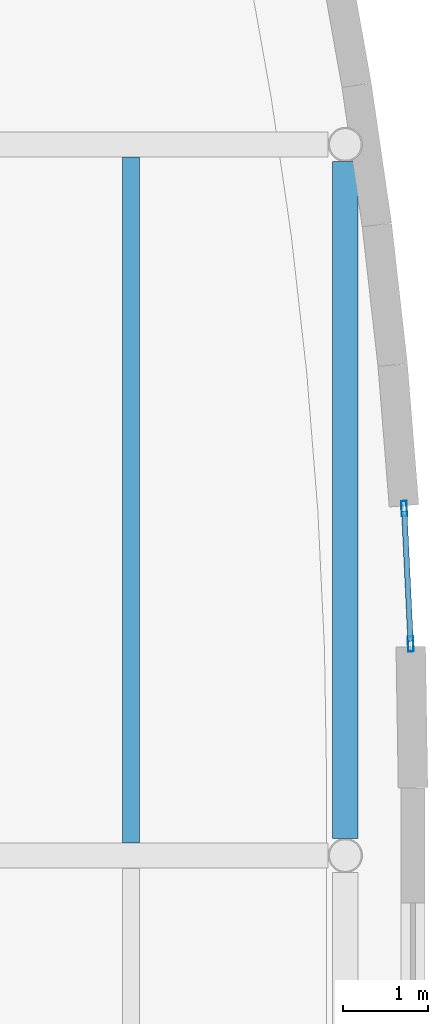
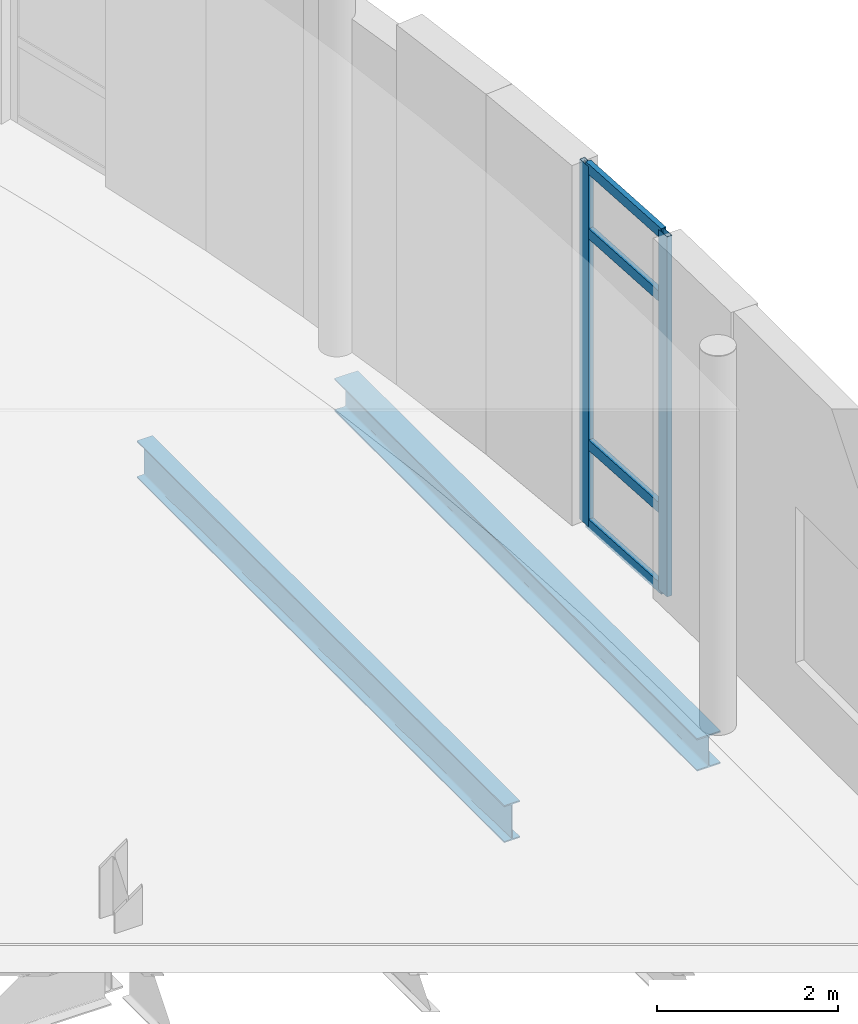
# One storey, part 48 of 104: 6 members, 2 beams, 1 element without a shape of its own.
"""IFC4 building model written with IfcOpenShell, lengths in metres."""

import ifcopenshell
import ifcopenshell.guid

model = None  # the IFC model being written
_history = None  # IfcOwnerHistory: only IFC2X3 demands one
_inside = {}  # id of a spatial element -> (the spatial element, [elements in it])
_under = {}  # id of a project, library or spatial element -> (it, [spatial elements below it])
_declared = {}  # id of a project -> (the project, [libraries it declares])
_typed = {}  # id of a type object -> (the type object, [elements of that type])
_made_of = {}  # id of a material, layer set ... -> (it, [elements and type objects made of it])


def new_model(schema):
    """Start an empty IFC model of exactly this schema.

    Asked for "IFC4X3", IfcOpenShell would pick the latest addendum, in which some entities
    have other attributes; the version numbers below select the first issue.
    IFC2X3 requires an IfcOwnerHistory on every rooted entity: one is made here for all.
    """
    global model, _history
    if schema == "IFC4X3":
        model = ifcopenshell.file(schema_version=(4, 3, 0, 0))
    else:
        model = ifcopenshell.file(schema=schema)
    _inside.clear()
    _under.clear()
    _declared.clear()
    _typed.clear()
    _made_of.clear()
    _history = None
    if model.schema == "IFC2X3":
        org = make("IfcOrganization", Name="unknown")
        user = make(
            "IfcPersonAndOrganization",
            ThePerson=make("IfcPerson", FamilyName="unknown"),
            TheOrganization=org,
        )
        app = make(
            "IfcApplication",
            ApplicationDeveloper=org,
            Version="unknown",
            ApplicationFullName="unknown",
            ApplicationIdentifier="unknown",
        )
        _history = make(
            "IfcOwnerHistory",
            OwningUser=user,
            OwningApplication=app,
            ChangeAction="ADDED",
            CreationDate=0,
        )
    return model


def make(cls, **values):
    """One entity of the class cls with the attributes given. An attribute that is None is left unset."""
    return model.create_entity(
        cls, **{name: value for name, value in values.items() if value is not None}
    )


def rooted(cls, **values):
    """An entity with a GlobalId (a new one), such as an element, a storey or a relation."""
    return make(cls, GlobalId=ifcopenshell.guid.new(), OwnerHistory=_history, **values)


def si_unit(unit_type, name, prefix=None):
    """IfcSIUnit, for example si_unit("LENGTHUNIT", "METRE", prefix="MILLI")."""
    return make("IfcSIUnit", UnitType=unit_type, Prefix=prefix, Name=name)


def assignment(units):
    """IfcUnitAssignment: the units of a project."""
    return None if units is None else make("IfcUnitAssignment", Units=units)


def point(xyz):
    """IfcCartesianPoint."""
    return None if xyz is None else make("IfcCartesianPoint", Coordinates=xyz)


def direction(xyz):
    """IfcDirection."""
    return None if xyz is None else make("IfcDirection", DirectionRatios=xyz)


def frame(location, z_axis=None, x_axis=None):
    """IfcAxis2Placement3D, a coordinate frame: its origin and axes. An axis left out is left unset."""
    return make(
        "IfcAxis2Placement3D",
        Location=point(location),
        Axis=direction(z_axis),
        RefDirection=direction(x_axis),
    )


def frame_2d(location, x_axis=None):
    """IfcAxis2Placement2D, a coordinate frame in the plane: its origin and x axis."""
    return make(
        "IfcAxis2Placement2D", Location=point(location), RefDirection=direction(x_axis)
    )


def origin():
    """The frame at (0, 0, 0) with its axes left unset."""
    return frame((0.0, 0.0, 0.0))


def origin_2d():
    """The frame at (0, 0) in the plane with its x axis left unset."""
    return frame_2d((0.0, 0.0))


def place(relative_to, where):
    """IfcLocalPlacement: puts the frame where relative to a parent placement (None: the world)."""
    return make(
        "IfcLocalPlacement", PlacementRelTo=relative_to, RelativePlacement=where
    )


def context(
    kind, dimensions, precision=None, world=None, true_north=None, identifier=None
):
    """IfcGeometricRepresentationContext, for example the 3D "Model" context."""
    return make(
        "IfcGeometricRepresentationContext",
        ContextIdentifier=identifier,
        ContextType=kind,
        CoordinateSpaceDimension=dimensions,
        Precision=precision,
        WorldCoordinateSystem=world,
        TrueNorth=true_north,
    )


def subcontext(parent, identifier, kind, view, scale=None):
    """IfcGeometricRepresentationSubContext, for example "Body" below "Model"."""
    return make(
        "IfcGeometricRepresentationSubContext",
        ContextIdentifier=identifier,
        ContextType=kind,
        ParentContext=parent,
        TargetScale=scale,
        TargetView=view,
    )


def project(units=None, contexts=None):
    """IfcProject with its units and contexts."""
    return rooted(
        "IfcProject",
        Name="project",
        RepresentationContexts=contexts,
        UnitsInContext=assignment(units),
    )


def spatial(cls, under=None, at=None, **own):
    """A site, building, storey or space (cls), placed at a placement, below another one or the project."""
    s = rooted(cls, ObjectPlacement=at, **own)
    if under is not None:
        _under.setdefault(under.id(), (under, []))[1].append(s)
    return s


def profile(cls, at=None, kind="AREA", **sizes):
    """A parametric profile (cls). Its sizes go by their IFC names, for example OverallWidth=200.0."""
    return make(cls, ProfileType=kind, Position=at, **sizes)


def hollow_rectangle(**sizes):
    """IfcRectangleHollowProfileDef."""
    return profile("IfcRectangleHollowProfileDef", **sizes)


def i_section(**sizes):
    """IfcIShapeProfileDef."""
    return profile("IfcIShapeProfileDef", **sizes)


def extrude(swept, where, along, depth):
    """IfcExtrudedAreaSolid: the profile swept, set in the frame where, extruded along a direction by depth."""
    return make(
        "IfcExtrudedAreaSolid",
        SweptArea=swept,
        Position=where,
        ExtrudedDirection=direction(along),
        Depth=depth,
    )


def shape(context_of_items, identifier, shape_type, items):
    """IfcShapeRepresentation: the items that make up one representation, for example the "Body"."""
    return make(
        "IfcShapeRepresentation",
        ContextOfItems=context_of_items,
        RepresentationIdentifier=identifier,
        RepresentationType=shape_type,
        Items=items,
    )


def material(Name=None, Category=None):
    """IfcMaterial."""
    return make("IfcMaterial", Name=Name, Category=Category)


def layer(
    of_material, thickness, ventilated=None, Name=None, Category=None, Priority=None
):
    """IfcMaterialLayer: one layer of a wall or slab, of a material (None: an air gap)."""
    return make(
        "IfcMaterialLayer",
        Material=of_material,
        LayerThickness=thickness,
        IsVentilated=ventilated,
        Name=Name,
        Category=Category,
        Priority=Priority,
    )


def layer_set(layers, Name=None):
    """IfcMaterialLayerSet."""
    return make("IfcMaterialLayerSet", MaterialLayers=layers, LayerSetName=Name)


def material_profile(
    of_material, cross_section, Name=None, Category=None, Priority=None
):
    """IfcMaterialProfile: a cross section and its material."""
    return make(
        "IfcMaterialProfile",
        Name=Name,
        Material=of_material,
        Profile=cross_section,
        Priority=Priority,
        Category=Category,
    )


def profile_set(profiles, Name=None, composite=None):
    """IfcMaterialProfileSet."""
    return make(
        "IfcMaterialProfileSet",
        Name=Name,
        MaterialProfiles=profiles,
        CompositeProfile=composite,
    )


def made_of(thing, what):
    """Note that an element or type object is made of a material, layer set ...; save() writes the relation."""
    if what is not None:
        _made_of.setdefault(what.id(), (what, []))[1].append(thing)
    return thing


def type_object(cls, material=None, **own):
    """A type object (cls), such as IfcWallType, which elements share."""
    return made_of(rooted(cls, **own), material)


def element(
    cls,
    number,
    at=None,
    inside=None,
    cuts=None,
    type_object=None,
    material=None,
    context=None,
    identifier="Body",
    shape_type=None,
    held_by="IfcProductDefinitionShape",
    body=None,
    shapes=None,
    **own,
):
    """One element of the class cls, such as IfcWall. Its Tag is "e" and its number.

    at: its placement. inside: the storey or other place that contains it. cuts: it is an
    opening in that element (IfcRelVoidsElement). A single representation is given by context,
    identifier, shape_type and body (its items); several are given by shapes. held_by: the class
    of the entity that holds the representations. save() writes the other relations.
    """
    e = rooted(cls, Tag="e%d" % number, ObjectPlacement=at, **own)
    if body is not None:
        shapes = [shape(context, identifier, shape_type, body)]
    if shapes is not None:
        e.Representation = make(held_by, Representations=shapes)
    if inside is not None:
        _inside.setdefault(inside.id(), (inside, []))[1].append(e)
    if cuts is not None:
        rooted(
            "IfcRelVoidsElement", RelatingBuildingElement=cuts, RelatedOpeningElement=e
        )
    if type_object is not None:
        _typed.setdefault(type_object.id(), (type_object, []))[1].append(e)
    return made_of(e, material)


def aggregate(whole, parts):
    """IfcRelAggregates: a whole, such as a stair, and the parts it consists of."""
    return rooted("IfcRelAggregates", RelatingObject=whole, RelatedObjects=parts)


def save(model, path):
    """Write the relations noted so far, then the file.

    IfcRelAggregates (storeys below a building ...), IfcRelContainedInSpatialStructure (elements
    in a storey), IfcRelDefinesByType, IfcRelAssociatesMaterial and IfcRelDeclares: one each for
    every whole, place, type object, material and project.
    """
    for whole, parts in _under.values():
        aggregate(whole, parts)
    for where, things in _inside.values():
        rooted(
            "IfcRelContainedInSpatialStructure",
            RelatedElements=things,
            RelatingStructure=where,
        )
    for kind, things in _typed.values():
        rooted("IfcRelDefinesByType", RelatedObjects=things, RelatingType=kind)
    for what, things in _made_of.values():
        rooted("IfcRelAssociatesMaterial", RelatedObjects=things, RelatingMaterial=what)
    for by, libraries in _declared.values():
        rooted("IfcRelDeclares", RelatingContext=by, RelatedDefinitions=libraries)
    model.write(path)


model = new_model("IFC4")

# Units and contexts
model_context = context("Model", 3, precision=1e-05, world=origin(), true_north=direction((0.0, 1.0)))
body_context = subcontext(model_context, "Body", "Model", "MODEL_VIEW")
ifc_project = project(units=[si_unit("LENGTHUNIT", "METRE"), si_unit("AREAUNIT", "SQUARE_METRE"), si_unit("VOLUMEUNIT", "CUBIC_METRE"), si_unit("PLANEANGLEUNIT", "RADIAN"), si_unit("MASSUNIT", "GRAM", prefix="KILO"), si_unit("THERMODYNAMICTEMPERATUREUNIT", "KELVIN")], contexts=[model_context])

# Site, building, storey
site_placement = place(None, origin())
site = spatial("IfcSite", under=ifc_project, at=site_placement, CompositionType="ELEMENT")
building_placement = place(site_placement, origin())
building = spatial("IfcBuilding", under=site, at=building_placement, Name="Lustrewick Department Store", CompositionType="ELEMENT")
storey_placement = place(building_placement, frame((0.0, 0.0, 11.39990234375)))
storey = spatial("IfcBuildingStorey", under=building, at=storey_placement, Name="L03", CompositionType="ELEMENT", Elevation=11.39990234375)

# Beam
ifc_material_1 = material(Name="Structural steel Q355B", Category="steel")
ifc_material_profile_1 = material_profile(ifc_material_1, i_section(OverallWidth=0.199951171875, OverallDepth=0.5, WebThickness=0.010009765625, FlangeThickness=0.01611328125, FilletRadius=0.01611328125, at=origin_2d()), Name="HN 500x200x10x16")
ifc_profile_set_1 = profile_set([ifc_material_profile_1], Name="Structural steel Q355B")
beam_type_1 = type_object("IfcBeamType", Name="B01", PredefinedType="JOIST", material=ifc_profile_set_1)
beam_1_placement = place(storey_placement, frame((164.666748046875, 58.949951171875, -0.5048828125), z_axis=(0.0, 1.0, 0.0), x_axis=(-1.0, 0.0, 0.0)))
element("IfcBeam", 1, at=beam_1_placement, inside=storey, type_object=beam_type_1, Name="L03 V4 Secondary Joist B01", PredefinedType="JOIST", context=body_context, shape_type="SweptSolid", body=[
    extrude(i_section(OverallWidth=0.199951171875, OverallDepth=0.5, WebThickness=0.010009765625, FlangeThickness=0.01611328125, FilletRadius=0.01611328125, at=origin_2d()), origin(), (0.0, 0.0, 1.0), 8.10009765625),
])

# Curtain wall, members
ifc_material_2 = material(Name="Thermally broken aluminium 6063-T5", Category="aluminium")
ifc_layer = layer(ifc_material_2, 0.179931640625, Name="Thermally broken aluminium 6063-T5")
ifc_layer_set = layer_set([ifc_layer], Name="Thermally broken aluminium 6063-T5")
curtain_wall_type = type_object("IfcCurtainWallType", Name="CW11", PredefinedType="NOTDEFINED", material=ifc_layer_set)
curtain_wall_placement = place(storey_placement, origin())
curtain_wall = element("IfcCurtainWall", 2, at=curtain_wall_placement, inside=storey, type_object=curtain_wall_type, Name="L03 V4 Curtain Wall CW11", PredefinedType="NOTDEFINED")
ifc_material_profile_2 = material_profile(ifc_material_2, hollow_rectangle(XDim=0.06494140625, YDim=0.179931640625, WallThickness=0.00390625, at=origin_2d()), Name="ALU-M 65x180x4")
ifc_profile_set_2 = profile_set([ifc_material_profile_2], Name="Thermally broken aluminium 6063-T5")
member_type_1 = type_object("IfcMemberType", Name="CW11-M1", PredefinedType="MULLION", material=ifc_profile_set_2)
member_1_placement = place(storey_placement, frame((167.9716796875, 61.299072265625, 0.0), z_axis=(0.0, 0.0, 1.0), x_axis=(-0.998844809751, -0.048052534093, 0.0)))
member_1 = element("IfcMember", 3, at=member_1_placement, type_object=member_type_1, Name="CW11 mullion 1", PredefinedType="MULLION", context=body_context, shape_type="SweptSolid", body=[
    extrude(hollow_rectangle(XDim=0.06494140625, YDim=0.179931640625, WallThickness=0.00390625, at=origin_2d()), origin(), (0.0, 0.0, 1.0), 4.84521484375),
])
member_2_placement = place(storey_placement, frame((167.894775390625, 62.899169921875, 0.0), z_axis=(0.0, 0.0, 1.0), x_axis=(-0.998844809751, -0.048052534093, 0.0)))
member_2 = element("IfcMember", 4, at=member_2_placement, type_object=member_type_1, Name="CW11 mullion 2", PredefinedType="MULLION", context=body_context, shape_type="SweptSolid", body=[
    extrude(hollow_rectangle(XDim=0.06494140625, YDim=0.179931640625, WallThickness=0.00390625, at=origin_2d()), origin(), (0.0, 0.0, 1.0), 4.84521484375),
])
ifc_material_profile_3 = material_profile(ifc_material_2, hollow_rectangle(XDim=0.06494140625, YDim=0.139892578125, WallThickness=0.00341796875, at=origin_2d()), Name="ALU-T 65x140x3.5")
ifc_profile_set_3 = profile_set([ifc_material_profile_3], Name="Thermally broken aluminium 6063-T5")
member_type_2 = type_object("IfcMemberType", Name="CW11-T1", PredefinedType="USERDEFINED", material=ifc_profile_set_3)
member_3_placement = place(storey_placement, frame((167.97021484375, 61.33154296875, 0.03271484375), z_axis=(-0.048131175267, 0.99884102337, 0.0), x_axis=(-0.99884102337, -0.048131175267, 0.0)))
member_3 = element("IfcMember", 5, at=member_3_placement, type_object=member_type_2, Name="CW11 transom 1.1", ObjectType="TRANSOM", PredefinedType="USERDEFINED", context=body_context, shape_type="SweptSolid", body=[
    extrude(hollow_rectangle(XDim=0.06494140625, YDim=0.139892578125, WallThickness=0.00341796875, at=origin_2d()), origin(), (0.0, 0.0, 1.0), 1.536865234375),
])
member_4_placement = place(storey_placement, frame((167.97021484375, 61.33154296875, 1.10009765625), z_axis=(-0.048131175267, 0.99884102337, 0.0), x_axis=(-0.99884102337, -0.048131175267, 0.0)))
member_4 = element("IfcMember", 6, at=member_4_placement, type_object=member_type_2, Name="CW11 transom 1.2", ObjectType="TRANSOM", PredefinedType="USERDEFINED", context=body_context, shape_type="SweptSolid", body=[
    extrude(hollow_rectangle(XDim=0.06494140625, YDim=0.139892578125, WallThickness=0.00341796875, at=origin_2d()), origin(), (0.0, 0.0, 1.0), 1.536865234375),
])
member_5_placement = place(storey_placement, frame((167.97021484375, 61.33154296875, 3.945068359375), z_axis=(-0.048131175267, 0.99884102337, 0.0), x_axis=(-0.99884102337, -0.048131175267, 0.0)))
member_5 = element("IfcMember", 7, at=member_5_placement, type_object=member_type_2, Name="CW11 transom 1.3", ObjectType="TRANSOM", PredefinedType="USERDEFINED", context=body_context, shape_type="SweptSolid", body=[
    extrude(hollow_rectangle(XDim=0.06494140625, YDim=0.139892578125, WallThickness=0.00341796875, at=origin_2d()), origin(), (0.0, 0.0, 1.0), 1.536865234375),
])
member_6_placement = place(storey_placement, frame((167.97021484375, 61.33154296875, 4.8125), z_axis=(-0.048131175267, 0.99884102337, 0.0), x_axis=(-0.99884102337, -0.048131175267, 0.0)))
member_6 = element("IfcMember", 8, at=member_6_placement, type_object=member_type_2, Name="CW11 transom 1.4", ObjectType="TRANSOM", PredefinedType="USERDEFINED", context=body_context, shape_type="SweptSolid", body=[
    extrude(hollow_rectangle(XDim=0.06494140625, YDim=0.139892578125, WallThickness=0.00341796875, at=origin_2d()), origin(), (0.0, 0.0, 1.0), 1.536865234375),
])
aggregate(curtain_wall, [member_1, member_2, member_3, member_4, member_5, member_6])

# Beam
ifc_material_profile_4 = material_profile(ifc_material_1, i_section(OverallWidth=0.300048828125, OverallDepth=0.43994140625, WebThickness=0.010986328125, FlangeThickness=0.01806640625, FilletRadius=0.02001953125, at=origin_2d()), Name="HM 440x300x11x18")
ifc_profile_set_4 = profile_set([ifc_material_profile_4], Name="Structural steel Q355B")
beam_type_2 = type_object("IfcBeamType", Name="SP02", PredefinedType="SPANDREL", material=ifc_profile_set_4)
beam_2_placement = place(storey_placement, frame((167.199951171875, 59.0029296875, -0.474853515625), z_axis=(0.0, 1.0, 0.0), x_axis=(-1.0, 0.0, 0.0)))
element("IfcBeam", 9, at=beam_2_placement, inside=storey, type_object=beam_type_2, Name="L03 V4 Girder SP02", PredefinedType="SPANDREL", context=body_context, shape_type="SweptSolid", body=[
    extrude(i_section(OverallWidth=0.300048828125, OverallDepth=0.43994140625, WebThickness=0.010986328125, FlangeThickness=0.01806640625, FilletRadius=0.02001953125, at=origin_2d()), origin(), (0.0, 0.0, 1.0), 7.994140625),
])

save(model, "model.ifc")
